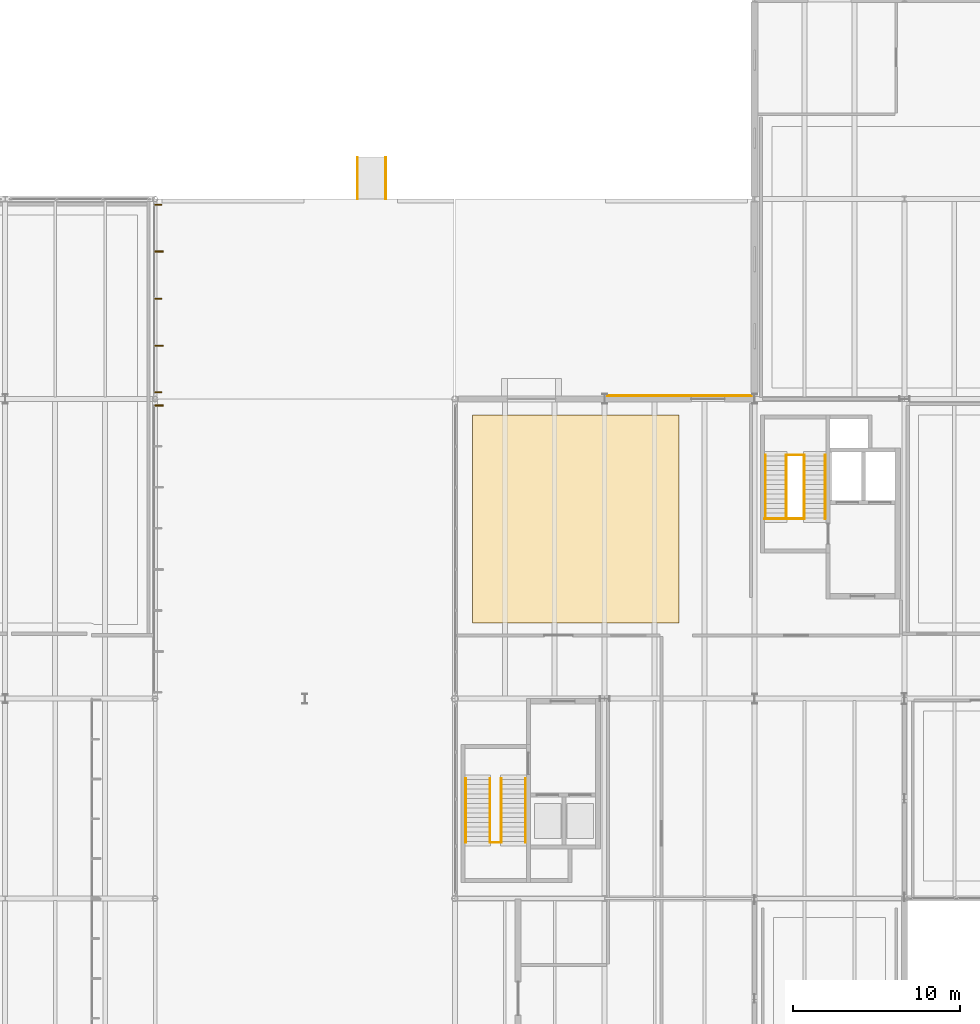
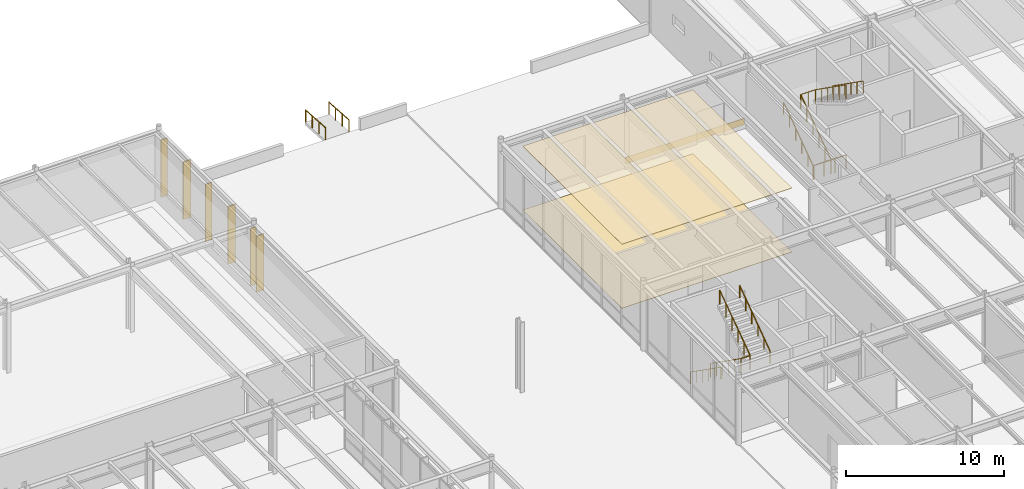
# One storey, part 140 of 143: 13 railings, 6 shading devices, 3 coverings.
"""IFC4 building model written with IfcOpenShell, lengths in metres."""

from ifc_helpers import new_model, si_unit, direction, frame, origin, origin_2d, place, context, subcontext, project, spatial, polyline, rectangle, circle, outline, extrude, material, layer, layer_set, type_object, element, save


model = new_model("IFC4")

# Units and contexts
model_context = context("Model", 3, precision=1e-05, world=origin(), true_north=direction((0.0, 1.0)))
body_context = subcontext(model_context, "Body", "Model", "MODEL_VIEW")
ifc_project = project(units=[si_unit("LENGTHUNIT", "METRE"), si_unit("AREAUNIT", "SQUARE_METRE"), si_unit("VOLUMEUNIT", "CUBIC_METRE"), si_unit("PLANEANGLEUNIT", "RADIAN"), si_unit("MASSUNIT", "GRAM", prefix="KILO")], contexts=[model_context])

# Site, building, storey
site_placement = place(None, origin())
site = spatial("IfcSite", under=ifc_project, at=site_placement, CompositionType="ELEMENT")
building_placement = place(site_placement, origin())
building = spatial("IfcBuilding", under=site, at=building_placement, Name="Montelvaro Courts of Justice", CompositionType="ELEMENT")
storey_placement = place(building_placement, origin())
storey = spatial("IfcBuildingStorey", under=building, at=storey_placement, Name="L00", CompositionType="ELEMENT", Elevation=0.0)

# Coverings
ifc_material_1 = material(Name="Perforated acoustic gypsum ceiling")
ifc_layer_1 = layer(ifc_material_1, 0.0400390625)
ifc_layer_set_1 = layer_set([ifc_layer_1], Name="Perforated acoustic gypsum ceiling")
covering_type_1 = type_object("IfcCoveringType", Name="AcousticCeiling_Court", PredefinedType="CEILING", material=ifc_layer_set_1)
covering_1_placement = place(storey_placement, frame((0.0, 0.0, 4.919921875)))
element("IfcCovering", 1, at=covering_1_placement, inside=storey, type_object=covering_type_1, Name="Acoustic Ceiling Panel AC-01 (L00-23)", PredefinedType="CEILING", context=body_context, shape_type="SweptSolid", body=[
    extrude(outline(polyline([(100.050048828125, 82.550048828125), (100.050048828125, 95.050048828125), (112.449951171875, 95.050048828125), (112.449951171875, 82.550048828125), (111.489990234375, 82.550048828125), (111.449951171875, 82.548095703125), (111.409912109375, 82.550048828125), (100.050048828125, 82.550048828125)])), origin(), (0.0, 0.0, 1.0), 0.0400390625),
])
ifc_material_2 = material(Name="White mineral precast concrete C45/55", Category="concrete")
ifc_layer_2 = layer(ifc_material_2, 0.0400390625)
ifc_layer_set_2 = layer_set([ifc_layer_2], Name="White mineral precast concrete C45/55")
covering_type_2 = type_object("IfcCoveringType", Name="BarCladding_GFRC", PredefinedType="CLADDING", material=ifc_layer_set_2)
covering_2_placement = place(storey_placement, frame((112.5, 96.18701171875, 0.030029296875), z_axis=(0.0, 0.0, 1.0), x_axis=(-1.0, 0.0, 0.0)))
element("IfcCovering", 2, at=covering_2_placement, inside=storey, type_object=covering_type_2, Name="Horizontal White Bar Spandrel Cladding CL-01-001", PredefinedType="CLADDING", context=body_context, shape_type="SweptSolid", body=[
    extrude(rectangle(XDim=8.68408203125, YDim=0.0400390625, at=origin_2d()), origin(), (0.0, 0.0, 1.0), 0.5),
])

# Railings
ifc_material_3 = material(Name="Steel S355", Category="steel")
railing_type_1 = type_object("IfcRailingType", Name="InteriorGuard_1100", PredefinedType="BALUSTRADE", material=ifc_material_3)
railing_1_placement = place(storey_placement, frame((117.60009765625, 88.800048828125, 0.0)))
element("IfcRailing", 3, at=railing_1_placement, inside=storey, type_object=railing_type_1, Name="Stair Well Guard GR-02 ST-K3-B01-TLG", PredefinedType="BALUSTRADE", context=body_context, shape_type="SweptSolid", body=[
    extrude(circle(Radius=0.02392578125, at=origin_2d()), frame((0.0, 0.0, 1.076171875), z_axis=(1.0, 0.0, 0.0), x_axis=(0.0, 1.0, 0.0)), (0.0, 0.0, 1.0), 2.389892578125),
    extrude(circle(Radius=0.02099609375, at=origin_2d()), origin(), (0.0, 0.0, 1.0), 1.052001953125),
    extrude(circle(Radius=0.02099609375, at=origin_2d()), frame((0.796630859375, 0.0, 0.0)), (0.0, 0.0, 1.0), 1.052001953125),
    extrude(circle(Radius=0.02099609375, at=origin_2d()), frame((1.59326171875, 0.0, 0.0)), (0.0, 0.0, 1.0), 1.052001953125),
    extrude(circle(Radius=0.02099609375, at=origin_2d()), frame((2.389892578125, 0.0, 0.0)), (0.0, 0.0, 1.0), 1.052001953125),
])
railing_2_placement = place(storey_placement, frame((118.909912109375, 88.800048828125, 0.0)))
element("IfcRailing", 4, at=railing_2_placement, inside=storey, type_object=railing_type_1, Name="Stair Well Guard GR-02 ST-K3-L00-F1G", PredefinedType="BALUSTRADE", context=body_context, shape_type="SweptSolid", body=[
    extrude(circle(Radius=0.02392578125, at=origin_2d()), frame((0.0, 0.0, 1.076171875), z_axis=(0.0, 0.81767845864, 0.575675202069), x_axis=(-1.0, 0.0, 0.0)), (0.0, 0.0, 1.0), 4.68994140625),
    extrude(circle(Radius=0.02099609375, at=origin_2d()), origin(), (0.0, 0.0, 1.0), 1.052001953125),
    extrude(circle(Radius=0.02099609375, at=origin_2d()), frame((0.0, 0.76708984375, 0.5400390625)), (0.0, 0.0, 1.0), 1.052001953125),
    extrude(circle(Radius=0.02099609375, at=origin_2d()), frame((0.0, 1.533935546875, 1.080078125)), (0.0, 0.0, 1.0), 1.052001953125),
    extrude(circle(Radius=0.02099609375, at=origin_2d()), frame((0.0, 2.301025390625, 1.619873046875)), (0.0, 0.0, 1.0), 1.052001953125),
    extrude(circle(Radius=0.02099609375, at=origin_2d()), frame((0.0, 3.06787109375, 2.159912109375)), (0.0, 0.0, 1.0), 1.052001953125),
    extrude(circle(Radius=0.02099609375, at=origin_2d()), frame((0.0, 3.8349609375, 2.699951171875)), (0.0, 0.0, 1.0), 1.052001953125),
])
railing_3_placement = place(storey_placement, frame((119.989990234375, 92.635009765625, 2.699951171875)))
element("IfcRailing", 5, at=railing_3_placement, inside=storey, type_object=railing_type_1, Name="Stair Well Guard GR-02 ST-K3-L00-F2G", PredefinedType="BALUSTRADE", context=body_context, shape_type="SweptSolid", body=[
    extrude(circle(Radius=0.02392578125, at=origin_2d()), frame((0.0, 0.0, 1.076171875), z_axis=(0.0, -0.81767845864, 0.575675202069), x_axis=(1.0, 0.0, 0.0)), (0.0, 0.0, 1.0), 4.68994140625),
    extrude(circle(Radius=0.02099609375, at=origin_2d()), origin(), (0.0, 0.0, 1.0), 1.052001953125),
    extrude(circle(Radius=0.02099609375, at=origin_2d()), frame((0.0, -0.76708984375, 0.5400390625)), (0.0, 0.0, 1.0), 1.052001953125),
    extrude(circle(Radius=0.02099609375, at=origin_2d()), frame((0.0, -1.533935546875, 1.080078125)), (0.0, 0.0, 1.0), 1.052001953125),
    extrude(circle(Radius=0.02099609375, at=origin_2d()), frame((0.0, -2.301025390625, 1.619873046875)), (0.0, 0.0, 1.0), 1.052001953125),
    extrude(circle(Radius=0.02099609375, at=origin_2d()), frame((0.0, -3.06787109375, 2.159912109375)), (0.0, 0.0, 1.0), 1.052001953125),
    extrude(circle(Radius=0.02099609375, at=origin_2d()), frame((0.0, -3.8349609375, 2.699951171875)), (0.0, 0.0, 1.0), 1.052001953125),
])
railing_4_placement = place(storey_placement, frame((118.909912109375, 92.635009765625, 2.699951171875)))
element("IfcRailing", 6, at=railing_4_placement, inside=storey, type_object=railing_type_1, Name="Stair Well Guard GR-02 ST-K3-L00-MLG", PredefinedType="BALUSTRADE", context=body_context, shape_type="SweptSolid", body=[
    extrude(circle(Radius=0.02392578125, at=origin_2d()), frame((0.0, 0.0, 1.076171875), z_axis=(1.0, 0.0, 0.0), x_axis=(0.0, 1.0, 0.0)), (0.0, 0.0, 1.0), 1.080078125),
    extrude(circle(Radius=0.02099609375, at=origin_2d()), origin(), (0.0, 0.0, 1.0), 1.052001953125),
    extrude(circle(Radius=0.02099609375, at=origin_2d()), frame((0.5400390625, 0.0, 0.0)), (0.0, 0.0, 1.0), 1.052001953125),
    extrude(circle(Radius=0.02099609375, at=origin_2d()), frame((1.080078125, 0.0, 0.0)), (0.0, 0.0, 1.0), 1.052001953125),
])
railing_5_placement = place(storey_placement, frame((101.110107421875, 73.199951171875, 0.0)))
element("IfcRailing", 7, at=railing_5_placement, inside=storey, type_object=railing_type_1, Name="Stair Well Guard GR-02 ST-K4-L00-F1G", PredefinedType="BALUSTRADE", context=body_context, shape_type="SweptSolid", body=[
    extrude(circle(Radius=0.02392578125, at=origin_2d()), frame((0.0, 0.0, 1.076171875), z_axis=(0.0, -0.81767845864, 0.575675202069), x_axis=(1.0, 0.0, 0.0)), (0.0, 0.0, 1.0), 4.68994140625),
    extrude(circle(Radius=0.02099609375, at=origin_2d()), origin(), (0.0, 0.0, 1.0), 1.052001953125),
    extrude(circle(Radius=0.02099609375, at=origin_2d()), frame((0.0, -0.76708984375, 0.5400390625)), (0.0, 0.0, 1.0), 1.052001953125),
    extrude(circle(Radius=0.02099609375, at=origin_2d()), frame((0.0, -1.533935546875, 1.080078125)), (0.0, 0.0, 1.0), 1.052001953125),
    extrude(circle(Radius=0.02099609375, at=origin_2d()), frame((0.0, -2.301025390625, 1.619873046875)), (0.0, 0.0, 1.0), 1.052001953125),
    extrude(circle(Radius=0.02099609375, at=origin_2d()), frame((0.0, -3.06787109375, 2.159912109375)), (0.0, 0.0, 1.0), 1.052001953125),
    extrude(circle(Radius=0.02099609375, at=origin_2d()), frame((0.0, -3.8349609375, 2.699951171875)), (0.0, 0.0, 1.0), 1.052001953125),
])
railing_6_placement = place(storey_placement, frame((101.7900390625, 69.364990234375, 2.699951171875)))
element("IfcRailing", 8, at=railing_6_placement, inside=storey, type_object=railing_type_1, Name="Stair Well Guard GR-02 ST-K4-L00-F2G", PredefinedType="BALUSTRADE", context=body_context, shape_type="SweptSolid", body=[
    extrude(circle(Radius=0.02392578125, at=origin_2d()), frame((0.0, 0.0, 1.076171875), z_axis=(0.0, 0.81767845864, 0.575675202069), x_axis=(-1.0, 0.0, 0.0)), (0.0, 0.0, 1.0), 4.68994140625),
    extrude(circle(Radius=0.02099609375, at=origin_2d()), origin(), (0.0, 0.0, 1.0), 1.052001953125),
    extrude(circle(Radius=0.02099609375, at=origin_2d()), frame((0.0, 0.76708984375, 0.5400390625)), (0.0, 0.0, 1.0), 1.052001953125),
    extrude(circle(Radius=0.02099609375, at=origin_2d()), frame((0.0, 1.533935546875, 1.080078125)), (0.0, 0.0, 1.0), 1.052001953125),
    extrude(circle(Radius=0.02099609375, at=origin_2d()), frame((0.0, 2.301025390625, 1.619873046875)), (0.0, 0.0, 1.0), 1.052001953125),
    extrude(circle(Radius=0.02099609375, at=origin_2d()), frame((0.0, 3.06787109375, 2.159912109375)), (0.0, 0.0, 1.0), 1.052001953125),
    extrude(circle(Radius=0.02099609375, at=origin_2d()), frame((0.0, 3.8349609375, 2.699951171875)), (0.0, 0.0, 1.0), 1.052001953125),
])
railing_7_placement = place(storey_placement, frame((101.110107421875, 69.364990234375, 2.699951171875)))
element("IfcRailing", 9, at=railing_7_placement, inside=storey, type_object=railing_type_1, Name="Stair Well Guard GR-02 ST-K4-L00-MLG", PredefinedType="BALUSTRADE", context=body_context, shape_type="SweptSolid", body=[
    extrude(circle(Radius=0.02392578125, at=origin_2d()), frame((0.0, 0.0, 1.076171875), z_axis=(1.0, 0.0, 0.0), x_axis=(0.0, 1.0, 0.0)), (0.0, 0.0, 1.0), 0.679931640625),
    extrude(circle(Radius=0.02099609375, at=origin_2d()), origin(), (0.0, 0.0, 1.0), 1.052001953125),
    extrude(circle(Radius=0.02099609375, at=origin_2d()), frame((0.679931640625, 0.0, 0.0)), (0.0, 0.0, 1.0), 1.052001953125),
])

# Covering
ifc_material_4 = material(Name="Alicante limestone judicial flooring", Category="masonry")
ifc_layer_3 = layer(ifc_material_4, 0.030029296875)
ifc_layer_set_3 = layer_set([ifc_layer_3], Name="Alicante limestone judicial flooring")
covering_type_3 = type_object("IfcCoveringType", Name="JudicialStoneFlooring", PredefinedType="FLOORING", material=ifc_layer_set_3)
covering_3_placement = place(storey_placement, origin())
element("IfcCovering", 10, at=covering_3_placement, inside=storey, type_object=covering_type_3, Name="Judicial Stone Flooring FLR-01 (L00-23)", PredefinedType="FLOORING", context=body_context, shape_type="SweptSolid", body=[
    extrude(outline(polyline([(100.050048828125, 82.550048828125), (100.050048828125, 95.050048828125), (112.449951171875, 95.050048828125), (112.449951171875, 82.550048828125), (111.489990234375, 82.550048828125), (111.449951171875, 82.548095703125), (111.409912109375, 82.550048828125), (100.050048828125, 82.550048828125)])), origin(), (0.0, 0.0, 1.0), 0.030029296875),
])

# Shading devices
ifc_material_5 = material(Name="Champagne anodised aluminium EN AW-6063", Category="aluminium")
ifc_layer_4 = layer(ifc_material_5, 0.080078125)
ifc_layer_set_4 = layer_set([ifc_layer_4], Name="Champagne anodised aluminium EN AW-6063")
shading_device_type_1 = type_object("IfcShadingDeviceType", Name="SolarFin_Champagne", PredefinedType="JALOUSIE", material=ifc_layer_set_4)
shading_device_placement = place(storey_placement, frame((81.22509765625, 95.60498046875, 0.0498046875), z_axis=(0.0, 0.0, 1.0), x_axis=(0.0, 1.0, 0.0)))
element("IfcShadingDevice", 11, at=shading_device_placement, inside=storey, type_object=shading_device_type_1, Name="Solar Brise-Soleil Fin SH-01 CW-024", PredefinedType="JALOUSIE", context=body_context, shape_type="SweptSolid", body=[
    extrude(rectangle(XDim=0.080078125, YDim=0.550048828125, at=origin_2d()), origin(), (0.0, 0.0, 1.0), 4.324951171875),
])
for number, where, z_axis, x_axis, name in (
    (12, (81.22509765625, 99.195068359375, 0.0498046875), (0.0, 0.0, 1.0), (0.0, 1.0, 0.0), "Solar Brise-Soleil Fin SH-01 CW-026"),
    (13, (81.22509765625, 104.85498046875, 0.0498046875), (0.0, 0.0, 1.0), (0.0, 1.0, 0.0), "Solar Brise-Soleil Fin SH-01 CW-028"),
):
    element("IfcShadingDevice", number, at=place(storey_placement, frame(where, z_axis=z_axis, x_axis=x_axis)), inside=storey, type_object=shading_device_type_1, Name=name, PredefinedType="JALOUSIE", context=body_context, shape_type="SweptSolid", body=[
        extrude(rectangle(XDim=0.080078125, YDim=0.550048828125, at=origin_2d()), origin(), (0.0, 0.0, 1.0), 4.425048828125),
    ])
ifc_layer_5 = layer(ifc_material_5, 0.070068359375)
ifc_layer_set_5 = layer_set([ifc_layer_5], Name="Champagne anodised aluminium EN AW-6063")
shading_device_type_2 = type_object("IfcShadingDeviceType", Name="SolarLouvre_Mediterranean", PredefinedType="SHUTTER", material=ifc_layer_set_5)
for number, where, z_axis, x_axis, name in (
    (14, (81.175048828125, 96.39501953125, 0.0498046875), (0.0, 0.0, 1.0), (0.0, 1.0, 0.0), "Solar Brise-Soleil Fin SH-02 CW-025"),
    (15, (81.175048828125, 102.02490234375, 0.0498046875), (0.0, 0.0, 1.0), (0.0, 1.0, 0.0), "Solar Brise-Soleil Fin SH-02 CW-027"),
    (16, (81.175048828125, 107.655029296875, 0.0498046875), (0.0, 0.0, 1.0), (0.0, 1.0, 0.0), "Solar Brise-Soleil Fin SH-02 CW-029"),
):
    element("IfcShadingDevice", number, at=place(storey_placement, frame(where, z_axis=z_axis, x_axis=x_axis)), inside=storey, type_object=shading_device_type_2, Name=name, PredefinedType="SHUTTER", context=body_context, shape_type="SweptSolid", body=[
        extrude(rectangle(XDim=0.070068359375, YDim=0.449951171875, at=origin_2d()), origin(), (0.0, 0.0, 1.0), 4.425048828125),
    ])

# Railings
ifc_material_6 = material(Name="Austenitic stainless steel EN 1.4401", Category="steel")
railing_type_2 = type_object("IfcRailingType", Name="StairHandrail_950", PredefinedType="HANDRAIL", material=ifc_material_6)
railing_8_placement = place(storey_placement, frame((117.659912109375, 88.800048828125, 0.0)))
element("IfcRailing", 17, at=railing_8_placement, inside=storey, type_object=railing_type_2, Name="Stair Pitch Handrail HR-01 ST-K3-L00-F1H", PredefinedType="HANDRAIL", context=body_context, shape_type="SweptSolid", body=[
    extrude(circle(Radius=0.02392578125, at=origin_2d()), frame((0.0, 0.0, 0.92578125), z_axis=(0.0, 0.81767845864, 0.575675202069), x_axis=(-1.0, 0.0, 0.0)), (0.0, 0.0, 1.0), 4.68994140625),
    extrude(circle(Radius=0.02099609375, at=origin_2d()), origin(), (0.0, 0.0, 1.0), 0.90185546875),
    extrude(circle(Radius=0.02099609375, at=origin_2d()), frame((0.0, 0.76708984375, 0.5400390625)), (0.0, 0.0, 1.0), 0.90185546875),
    extrude(circle(Radius=0.02099609375, at=origin_2d()), frame((0.0, 1.533935546875, 1.080078125)), (0.0, 0.0, 1.0), 0.90185546875),
    extrude(circle(Radius=0.02099609375, at=origin_2d()), frame((0.0, 2.301025390625, 1.619873046875)), (0.0, 0.0, 1.0), 0.90185546875),
    extrude(circle(Radius=0.02099609375, at=origin_2d()), frame((0.0, 3.06787109375, 2.159912109375)), (0.0, 0.0, 1.0), 0.90185546875),
    extrude(circle(Radius=0.02099609375, at=origin_2d()), frame((0.0, 3.8349609375, 2.699951171875)), (0.0, 0.0, 1.0), 0.90185546875),
])
for number, where, name in (
    (18, (121.239990234375, 92.635009765625, 2.699951171875), "Stair Pitch Handrail HR-01 ST-K3-L00-F2H"),
    (19, (99.659912109375, 73.199951171875, 0.0), "Stair Pitch Handrail HR-01 ST-K4-L00-F1H"),
):
    element("IfcRailing", number, at=place(storey_placement, frame(where)), inside=storey, type_object=railing_type_2, Name=name, PredefinedType="HANDRAIL", context=body_context, shape_type="SweptSolid", body=[
        extrude(circle(Radius=0.02392578125, at=origin_2d()), frame((0.0, 0.0, 0.92578125), z_axis=(0.0, -0.81767845864, 0.575675202069), x_axis=(1.0, 0.0, 0.0)), (0.0, 0.0, 1.0), 4.68994140625),
        extrude(circle(Radius=0.02099609375, at=origin_2d()), origin(), (0.0, 0.0, 1.0), 0.90185546875),
        extrude(circle(Radius=0.02099609375, at=origin_2d()), frame((0.0, -0.76708984375, 0.5400390625)), (0.0, 0.0, 1.0), 0.90185546875),
        extrude(circle(Radius=0.02099609375, at=origin_2d()), frame((0.0, -1.533935546875, 1.080078125)), (0.0, 0.0, 1.0), 0.90185546875),
        extrude(circle(Radius=0.02099609375, at=origin_2d()), frame((0.0, -2.301025390625, 1.619873046875)), (0.0, 0.0, 1.0), 0.90185546875),
        extrude(circle(Radius=0.02099609375, at=origin_2d()), frame((0.0, -3.06787109375, 2.159912109375)), (0.0, 0.0, 1.0), 0.90185546875),
        extrude(circle(Radius=0.02099609375, at=origin_2d()), frame((0.0, -3.8349609375, 2.699951171875)), (0.0, 0.0, 1.0), 0.90185546875),
    ])
railing_9_placement = place(storey_placement, frame((103.239990234375, 69.364990234375, 2.699951171875)))
element("IfcRailing", 20, at=railing_9_placement, inside=storey, type_object=railing_type_2, Name="Stair Pitch Handrail HR-01 ST-K4-L00-F2H", PredefinedType="HANDRAIL", context=body_context, shape_type="SweptSolid", body=[
    extrude(circle(Radius=0.02392578125, at=origin_2d()), frame((0.0, 0.0, 0.92578125), z_axis=(0.0, 0.81767845864, 0.575675202069), x_axis=(-1.0, 0.0, 0.0)), (0.0, 0.0, 1.0), 4.68994140625),
    extrude(circle(Radius=0.02099609375, at=origin_2d()), origin(), (0.0, 0.0, 1.0), 0.90185546875),
    extrude(circle(Radius=0.02099609375, at=origin_2d()), frame((0.0, 0.76708984375, 0.5400390625)), (0.0, 0.0, 1.0), 0.90185546875),
    extrude(circle(Radius=0.02099609375, at=origin_2d()), frame((0.0, 1.533935546875, 1.080078125)), (0.0, 0.0, 1.0), 0.90185546875),
    extrude(circle(Radius=0.02099609375, at=origin_2d()), frame((0.0, 2.301025390625, 1.619873046875)), (0.0, 0.0, 1.0), 0.90185546875),
    extrude(circle(Radius=0.02099609375, at=origin_2d()), frame((0.0, 3.06787109375, 2.159912109375)), (0.0, 0.0, 1.0), 0.90185546875),
    extrude(circle(Radius=0.02099609375, at=origin_2d()), frame((0.0, 3.8349609375, 2.699951171875)), (0.0, 0.0, 1.0), 0.90185546875),
])
for number, where, name in (
    (21, (93.14990234375, 110.5, -0.14990234375), "Accessible Ramp Handrail AR-05-L"),
    (22, (94.85009765625, 110.5, -0.14990234375), "Accessible Ramp Handrail AR-05-R"),
):
    element("IfcRailing", number, at=place(storey_placement, frame(where)), inside=storey, type_object=railing_type_2, Name=name, PredefinedType="HANDRAIL", context=body_context, shape_type="SweptSolid", body=[
        extrude(circle(Radius=0.02392578125, at=origin_2d()), frame((0.0, 0.0, 0.92578125), z_axis=(0.0, -0.998207175866, 0.059853438084), x_axis=(1.0, 0.0, 0.0)), (0.0, 0.0, 1.0), 2.50439453125),
        extrude(circle(Radius=0.02099609375, at=origin_2d()), origin(), (0.0, 0.0, 1.0), 0.90185546875),
        extrude(circle(Radius=0.02099609375, at=origin_2d()), frame((0.0, -0.833251953125, 0.050048828125)), (0.0, 0.0, 1.0), 0.90185546875),
        extrude(circle(Radius=0.02099609375, at=origin_2d()), frame((0.0, -1.666748046875, 0.099853515625)), (0.0, 0.0, 1.0), 0.90185546875),
        extrude(circle(Radius=0.02099609375, at=origin_2d()), frame((0.0, -2.5, 0.14990234375)), (0.0, 0.0, 1.0), 0.90185546875),
    ])

save(model, "model.ifc")
